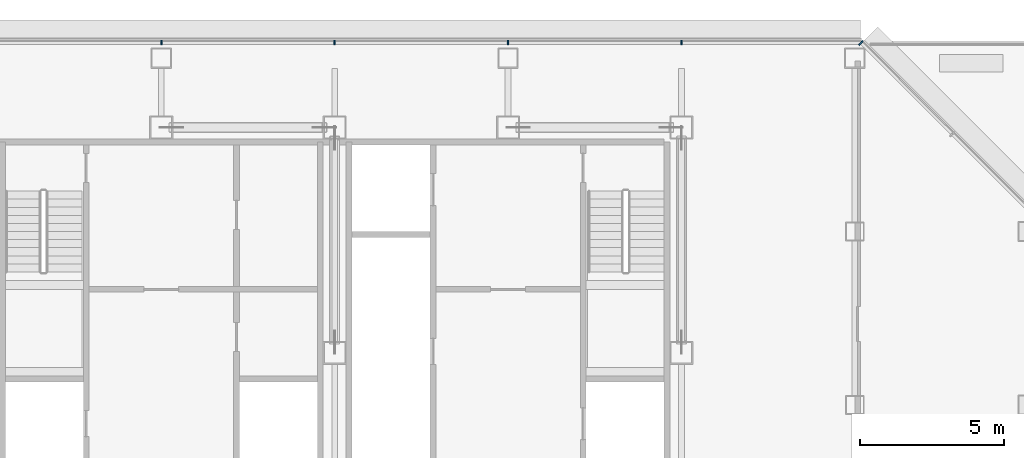
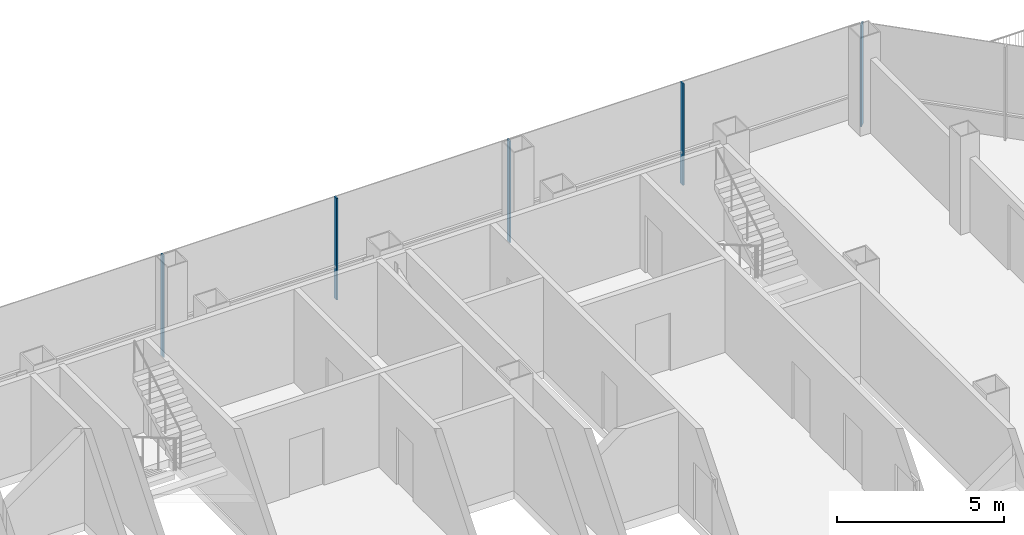
# One storey, part 13 of 27: 5 members, 2 elements without a shape of their own.
"""IFC4 building model written with IfcOpenShell, lengths in metres."""

from ifc_helpers import new_model, si_unit, direction, frame, origin, origin_2d, place, context, subcontext, project, spatial, rectangle, extrude, material, material_profile, profile_set, type_object, element, aggregate, save


model = new_model("IFC4")

# Units and contexts
model_context = context("Model", 3, precision=1e-05, world=origin(), true_north=direction((0.0, 1.0)))
body_context = subcontext(model_context, "Body", "Model", "MODEL_VIEW")
ifc_project = project(units=[si_unit("LENGTHUNIT", "METRE"), si_unit("AREAUNIT", "SQUARE_METRE"), si_unit("VOLUMEUNIT", "CUBIC_METRE"), si_unit("PLANEANGLEUNIT", "RADIAN"), si_unit("MASSUNIT", "GRAM", prefix="KILO")], contexts=[model_context])

# Site, building, storey
site_placement = place(None, origin())
site = spatial("IfcSite", under=ifc_project, at=site_placement, CompositionType="ELEMENT")
building_placement = place(site_placement, origin())
building = spatial("IfcBuilding", under=site, at=building_placement, Name="Sorahane Residences", CompositionType="ELEMENT")
storey_placement = place(building_placement, frame((0.0, 0.0, 192.0)))
storey = spatial("IfcBuildingStorey", under=building, at=storey_placement, Name="L44", CompositionType="ELEMENT", Elevation=192.0)

# Curtain wall, members
ifc_material_1 = material(Name="Dark low-e glass and black anodised aluminium", Category="aluminium")
curtain_wall_type_1 = type_object("IfcCurtainWallType", Name="Curtain wall CW-1 Typical unitised wall", PredefinedType="NOTDEFINED", material=ifc_material_1)
curtain_wall_1_placement = place(storey_placement, origin())
curtain_wall_1 = element("IfcCurtainWall", 1, at=curtain_wall_1_placement, inside=storey, type_object=curtain_wall_type_1, Name="CW-1 curtain wall L44 N1", PredefinedType="NOTDEFINED")
ifc_material_2 = material(Name="Black anodised aluminium", Category="aluminium")
ifc_material_profile_1 = material_profile(ifc_material_2, rectangle(XDim=0.159912109375, YDim=0.050048828125, at=origin_2d()), Name="Curtain wall mullion CW-1 black anodised aluminium 50x160")
ifc_profile_set_1 = profile_set([ifc_material_profile_1], Name="Black anodised aluminium")
member_type_1 = type_object("IfcMemberType", Name="Curtain wall mullion CW-1 black anodised aluminium 50x160", PredefinedType="MULLION", material=ifc_profile_set_1)
member_1_placement = place(storey_placement, frame((42.0, 48.5400390625, -0.300048828125), z_axis=(0.0, 0.0, 1.0), x_axis=(0.0, 1.0, 0.0)))
member_1 = element("IfcMember", 2, at=member_1_placement, type_object=member_type_1, Name="CW-1 mullion L44 N1.2", PredefinedType="MULLION", context=body_context, shape_type="SweptSolid", body=[
    extrude(rectangle(XDim=0.159912109375, YDim=0.050048828125, at=origin_2d()), origin(), (0.0, 0.0, 1.0), 3.719970703125),
])
member_2_placement = place(storey_placement, frame((36.0, 48.5400390625, -0.300048828125), z_axis=(0.0, 0.0, 1.0), x_axis=(0.0, 1.0, 0.0)))
member_2 = element("IfcMember", 3, at=member_2_placement, type_object=member_type_1, Name="CW-1 mullion L44 N1.3", PredefinedType="MULLION", context=body_context, shape_type="SweptSolid", body=[
    extrude(rectangle(XDim=0.159912109375, YDim=0.050048828125, at=origin_2d()), origin(), (0.0, 0.0, 1.0), 3.719970703125),
])
member_3_placement = place(storey_placement, frame((30.0, 48.5400390625, -0.300048828125), z_axis=(0.0, 0.0, 1.0), x_axis=(0.0, 1.0, 0.0)))
member_3 = element("IfcMember", 4, at=member_3_placement, type_object=member_type_1, Name="CW-1 mullion L44 N1.4", PredefinedType="MULLION", context=body_context, shape_type="SweptSolid", body=[
    extrude(rectangle(XDim=0.159912109375, YDim=0.050048828125, at=origin_2d()), origin(), (0.0, 0.0, 1.0), 3.719970703125),
])
member_4_placement = place(storey_placement, frame((24.0, 48.5400390625, -0.300048828125), z_axis=(0.0, 0.0, 1.0), x_axis=(0.0, 1.0, 0.0)))
member_4 = element("IfcMember", 5, at=member_4_placement, type_object=member_type_1, Name="CW-1 mullion L44 N1.5", PredefinedType="MULLION", context=body_context, shape_type="SweptSolid", body=[
    extrude(rectangle(XDim=0.159912109375, YDim=0.050048828125, at=origin_2d()), origin(), (0.0, 0.0, 1.0), 3.719970703125),
])
aggregate(curtain_wall_1, [member_1, member_2, member_3, member_4])

# Curtain wall, member
ifc_material_3 = material(Name="Dark low-e glass and black anodised aluminium", Category="aluminium")
curtain_wall_type_2 = type_object("IfcCurtainWallType", Name="Curtain wall CW-2 Chamfer unitised wall", PredefinedType="NOTDEFINED", material=ifc_material_3)
curtain_wall_2_placement = place(storey_placement, origin())
curtain_wall_2 = element("IfcCurtainWall", 6, at=curtain_wall_2_placement, inside=storey, type_object=curtain_wall_type_2, Name="CW-2 curtain wall L44 NE1", PredefinedType="NOTDEFINED")
ifc_material_4 = material(Name="Black anodised aluminium", Category="aluminium")
ifc_material_profile_2 = material_profile(ifc_material_4, rectangle(XDim=0.199951171875, YDim=0.050048828125, at=origin_2d()), Name="Curtain wall mullion CW-2 black anodised aluminium 50x200")
ifc_profile_set_2 = profile_set([ifc_material_profile_2], Name="Black anodised aluminium")
member_type_2 = type_object("IfcMemberType", Name="Curtain wall mullion CW-2 black anodised aluminium 50x200", PredefinedType="MULLION", material=ifc_profile_set_2)
member_5_placement = place(storey_placement, frame((48.209716796875, 48.525634765625, -0.300048828125), z_axis=(0.0, 0.0, 1.0), x_axis=(0.707106781187, 0.707106781187, 0.0)))
member_5 = element("IfcMember", 7, at=member_5_placement, type_object=member_type_2, Name="CW-2 mullion L44 NE1.3", PredefinedType="MULLION", context=body_context, shape_type="SweptSolid", body=[
    extrude(rectangle(XDim=0.199951171875, YDim=0.050048828125, at=origin_2d()), origin(), (0.0, 0.0, 1.0), 3.719970703125),
])
aggregate(curtain_wall_2, [member_5])

save(model, "model.ifc")
